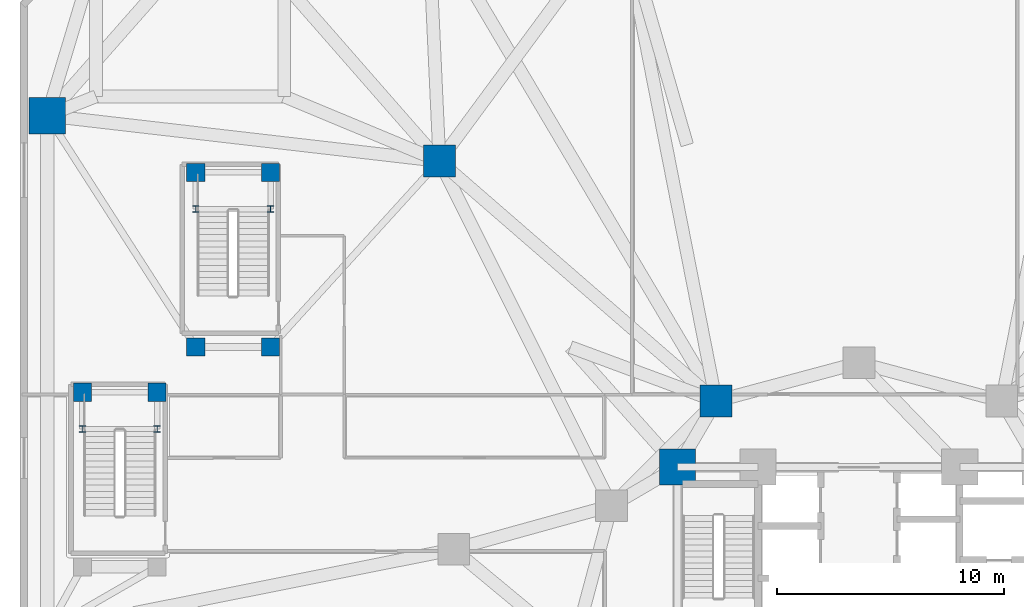
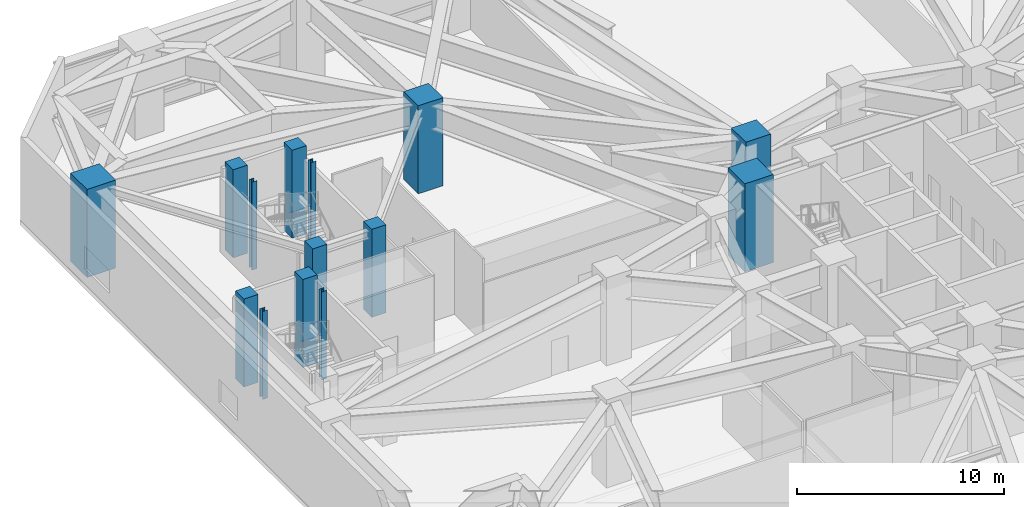
# One storey, part 2 of 27: 14 columns.
"""IFC4 building model written with IfcOpenShell, lengths in metres."""

from ifc_helpers import new_model, si_unit, direction, frame, origin, origin_2d, place, context, subcontext, project, spatial, rectangle, i_section, extrude, material, material_profile, profile_set, type_object, element, save


model = new_model("IFC4")

# Units and contexts
model_context = context("Model", 3, precision=1e-05, world=origin(), true_north=direction((0.0, 1.0)))
body_context = subcontext(model_context, "Body", "Model", "MODEL_VIEW")
ifc_project = project(units=[si_unit("LENGTHUNIT", "METRE"), si_unit("AREAUNIT", "SQUARE_METRE"), si_unit("VOLUMEUNIT", "CUBIC_METRE"), si_unit("PLANEANGLEUNIT", "RADIAN"), si_unit("MASSUNIT", "GRAM", prefix="KILO")], contexts=[model_context])

# Site, building, storey
site_placement = place(None, origin())
site = spatial("IfcSite", under=ifc_project, at=site_placement, CompositionType="ELEMENT")
building_placement = place(site_placement, origin())
building = spatial("IfcBuilding", under=site, at=building_placement, Name="Terralouvre Media Tower", CompositionType="ELEMENT")
storey_placement = place(building_placement, frame((0.0, 0.0, 20.800048828125)))
storey = spatial("IfcBuildingStorey", under=building, at=storey_placement, Name="L04", CompositionType="ELEMENT", Elevation=20.800048828125)

# Columns
ifc_material_1 = material(Name="Structural steel S355J2", Category="steel")
ifc_material_profile_1 = material_profile(ifc_material_1, i_section(OverallWidth=0.280029296875, OverallDepth=0.280029296875, WebThickness=0.010498046875, FlangeThickness=0.01806640625, at=origin_2d()), Name="HEB 280")
ifc_profile_set_1 = profile_set([ifc_material_profile_1], Name="Structural steel S355J2")
column_type_1 = type_object("IfcColumnType", Name="Basement Aisle Pilaster PL-HEB280 (HEB 280)", PredefinedType="PILASTER", material=ifc_profile_set_1)
for number, where, z_axis, x_axis, name in (
    (1, (-34.25, 9.679931640625, 0.0), (0.0, 0.0, 1.0), (1.0, 0.0, 0.0), "L04 Stair Half-Landing Post ST3CLP1"),
    (2, (-30.949951171875, 9.679931640625, 0.0), (0.0, 0.0, 1.0), (1.0, 0.0, 0.0), "L04 Stair Half-Landing Post ST3CLP2"),
    (3, (-29.25, 19.3798828125, 0.0), (0.0, 0.0, 1.0), (1.0, 0.0, 0.0), "L04 Stair Half-Landing Post ST6CLP1"),
    (4, (-25.949951171875, 19.3798828125, 0.0), (0.0, 0.0, 1.0), (1.0, 0.0, 0.0), "L04 Stair Half-Landing Post ST6CLP2"),
):
    element("IfcColumn", number, at=place(storey_placement, frame(where, z_axis=z_axis, x_axis=x_axis)), inside=storey, type_object=column_type_1, Name=name, PredefinedType="PILASTER", context=body_context, shape_type="SweptSolid", body=[
        extrude(i_section(OverallWidth=0.280029296875, OverallDepth=0.280029296875, WebThickness=0.010498046875, FlangeThickness=0.01806640625, at=origin_2d()), origin(), (0.0, 0.0, 1.0), 5.199951171875),
    ])
ifc_material_2 = material(Name="Concrete C60/75", Category="concrete")
ifc_material_profile_2 = material_profile(ifc_material_2, rectangle(XDim=1.39990234375, YDim=1.39990234375, at=origin_2d()), Name="RC 1400x1400")
ifc_profile_set_2 = profile_set([ifc_material_profile_2], Name="Concrete C60/75")
column_type_2 = type_object("IfcColumnType", Name="Structural Column C-RC1400 (RC 1400x1400)", PredefinedType="COLUMN", material=ifc_profile_set_2)
for number, where, z_axis, x_axis, name in (
    (5, (-6.300048828125, 10.911865234375, 0.0), (0.0, 0.0, 1.0), (1.0, 0.0, 0.0), "L04 Mega-Frame Column MC05"),
    (6, (-18.5, 21.5, 0.0), (0.0, 0.0, 1.0), (1.0, 0.0, 0.0), "L04 Podium Transfer Column PM19"),
):
    element("IfcColumn", number, at=place(storey_placement, frame(where, z_axis=z_axis, x_axis=x_axis)), inside=storey, type_object=column_type_2, Name=name, PredefinedType="COLUMN", context=body_context, shape_type="SweptSolid", body=[
        extrude(rectangle(XDim=1.39990234375, YDim=1.39990234375, at=origin_2d()), origin(), (0.0, 0.0, 1.0), 5.199951171875),
    ])
ifc_material_3 = material(Name="Concrete C60/75", Category="concrete")
ifc_material_profile_3 = material_profile(ifc_material_3, rectangle(XDim=1.60009765625, YDim=1.60009765625, at=origin_2d()), Name="RC 1600x1600")
ifc_profile_set_3 = profile_set([ifc_material_profile_3], Name="Concrete C60/75")
column_type_3 = type_object("IfcColumnType", Name="Structural Column C-RC1600 (RC 1600x1600)", PredefinedType="COLUMN", material=ifc_profile_set_3)
for number, where, z_axis, x_axis, name in (
    (7, (-8.0, 8.0, 0.0), (0.0, 0.0, 1.0), (1.0, 0.0, 0.0), "L04 Core Pilaster Column CP7"),
    (8, (-35.800048828125, 23.5, 0.0), (0.0, 0.0, 1.0), (1.0, 0.0, 0.0), "L04 Perimeter Mega-Column PM16"),
):
    element("IfcColumn", number, at=place(storey_placement, frame(where, z_axis=z_axis, x_axis=x_axis)), inside=storey, type_object=column_type_3, Name=name, PredefinedType="COLUMN", context=body_context, shape_type="SweptSolid", body=[
        extrude(rectangle(XDim=1.60009765625, YDim=1.60009765625, at=origin_2d()), origin(), (0.0, 0.0, 1.0), 5.199951171875),
    ])
ifc_material_4 = material(Name="Concrete C50/60", Category="concrete")
ifc_material_profile_4 = material_profile(ifc_material_4, rectangle(XDim=0.800048828125, YDim=0.800048828125, at=origin_2d()), Name="RC 800x800")
ifc_profile_set_4 = profile_set([ifc_material_profile_4], Name="Concrete C50/60")
column_type_4 = type_object("IfcColumnType", Name="Structural Column C-RC800 (RC 800x800)", PredefinedType="COLUMN", material=ifc_profile_set_4)
for number, where, z_axis, x_axis, name in (
    (9, (-30.949951171875, 11.300048828125, 0.0), (0.0, 0.0, 1.0), (1.0, 0.0, 0.0), "L04 Stair Pavilion Support Column ST3C3"),
    (10, (-34.25, 11.300048828125, 0.0), (0.0, 0.0, 1.0), (1.0, 0.0, 0.0), "L04 Stair Pavilion Support Column ST3C4"),
    (11, (-29.25, 13.300048828125, 0.0), (0.0, 0.0, 1.0), (1.0, 0.0, 0.0), "L04 Stair Pavilion Support Column ST6C1"),
    (12, (-25.949951171875, 13.300048828125, 0.0), (0.0, 0.0, 1.0), (1.0, 0.0, 0.0), "L04 Stair Pavilion Support Column ST6C2"),
    (13, (-25.949951171875, 21.0, 0.0), (0.0, 0.0, 1.0), (1.0, 0.0, 0.0), "L04 Stair Pavilion Support Column ST6C3"),
    (14, (-29.25, 21.0, 0.0), (0.0, 0.0, 1.0), (1.0, 0.0, 0.0), "L04 Stair Pavilion Support Column ST6C4"),
):
    element("IfcColumn", number, at=place(storey_placement, frame(where, z_axis=z_axis, x_axis=x_axis)), inside=storey, type_object=column_type_4, Name=name, PredefinedType="COLUMN", context=body_context, shape_type="SweptSolid", body=[
        extrude(rectangle(XDim=0.800048828125, YDim=0.800048828125, at=origin_2d()), origin(), (0.0, 0.0, 1.0), 5.199951171875),
    ])

save(model, "model.ifc")
